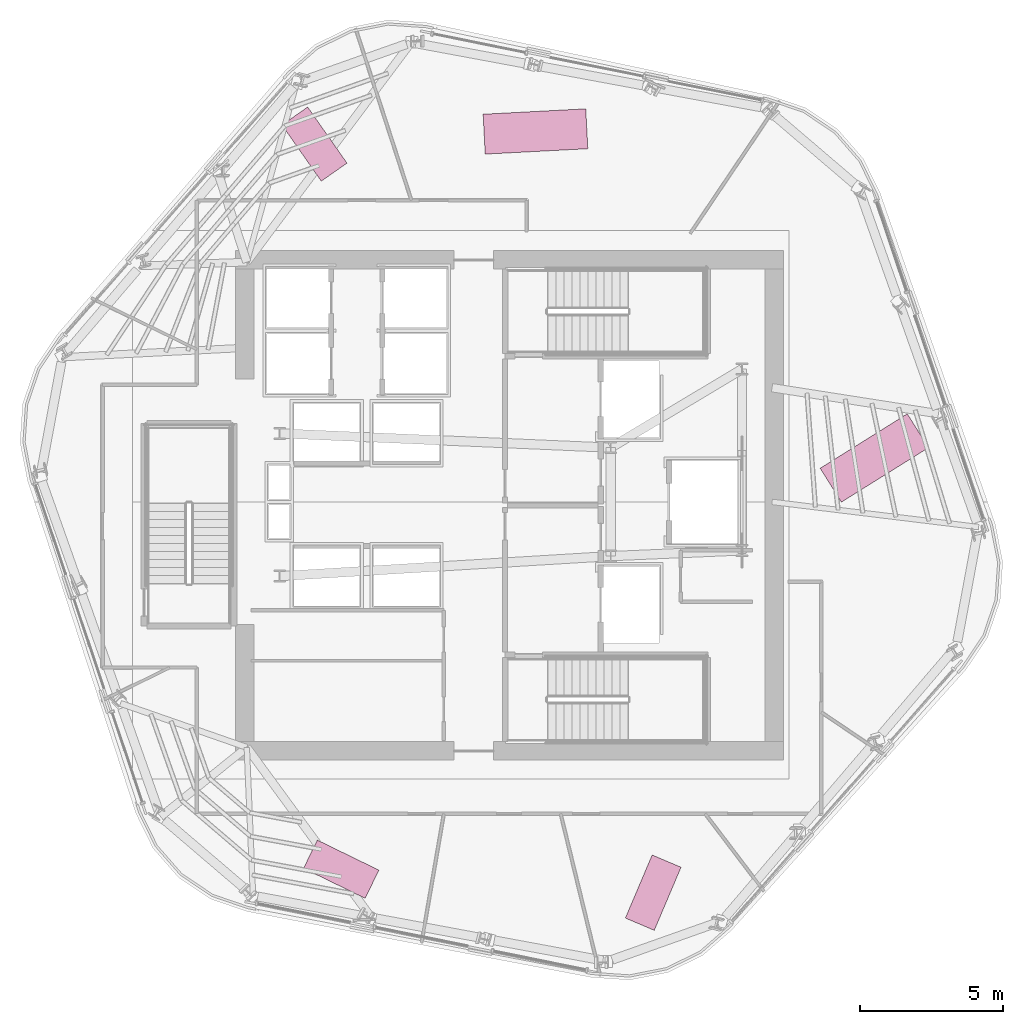
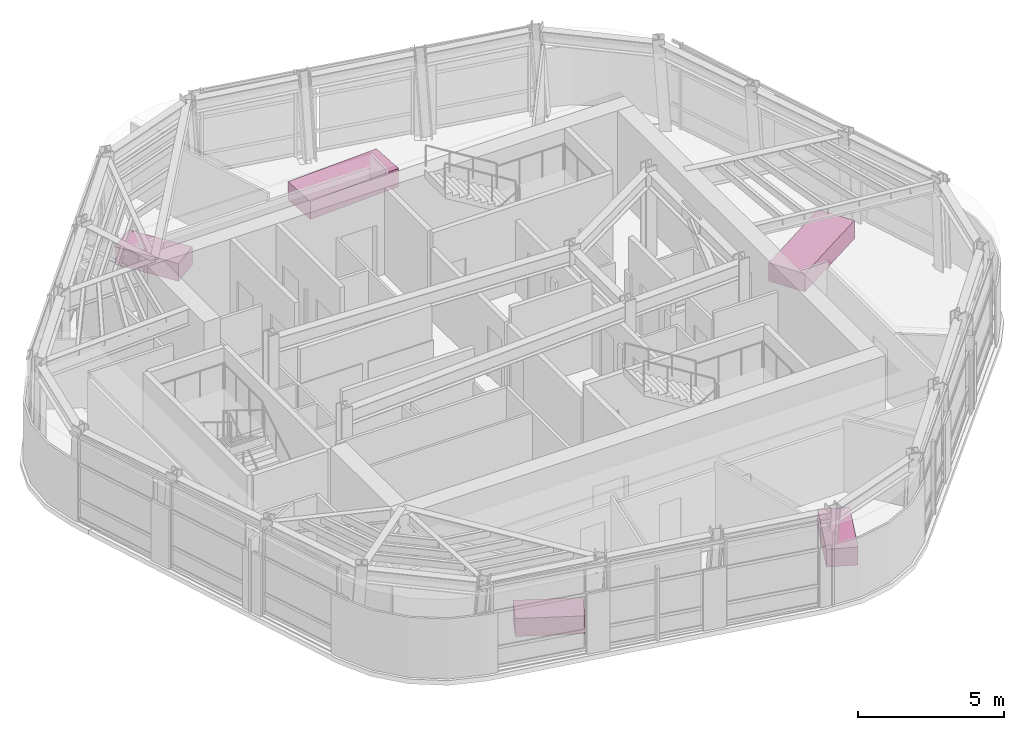
# One storey, part 12 of 12: 5 furniture elements.
"""IFC4 building model written with IfcOpenShell, lengths in metres."""

from ifc_helpers import new_model, si_unit, direction, frame, origin, origin_2d, place, context, subcontext, project, spatial, rectangle, extrude, material, type_object, element, save


model = new_model("IFC4")

# Units and contexts
model_context = context("Model", 3, precision=1e-05, world=origin(), true_north=direction((0.0, 1.0)))
body_context = subcontext(model_context, "Body", "Model", "MODEL_VIEW")
ifc_project = project(units=[si_unit("LENGTHUNIT", "METRE"), si_unit("AREAUNIT", "SQUARE_METRE"), si_unit("VOLUMEUNIT", "CUBIC_METRE"), si_unit("PLANEANGLEUNIT", "RADIAN"), si_unit("MASSUNIT", "GRAM", prefix="KILO")], contexts=[model_context])

# Site, building, storey
site_placement = place(None, origin())
site = spatial("IfcSite", under=ifc_project, at=site_placement, CompositionType="ELEMENT")
building_placement = place(site_placement, origin())
building = spatial("IfcBuilding", under=site, at=building_placement, Name="Valkerne Bourse Tower", CompositionType="ELEMENT")
storey_placement = place(building_placement, frame((0.0, 0.0, 232.199951171875)))
storey = spatial("IfcBuildingStorey", under=building, at=storey_placement, Name="L59", CompositionType="ELEMENT", Elevation=232.199951171875)

# Furniture
ifc_material = material(Name="Architectural White Oak Timber", Category="wood")
furniture_type_1 = type_object("IfcFurnitureType", Name="FURN-CONF-3600", AssemblyPlace="NOTDEFINED", PredefinedType="TABLE", material=ifc_material)
for number, where, z_axis, x_axis, name in (
    (1, (47.712890625, 39.97607421875, 0.044921875), (0.0, 0.0, 1.0), (0.998629534755, 0.052335956243, 0.0), "L59 Suite Worktable 10"),
    (2, (59.583984375, 28.5380859375, 0.044921875), (0.0, 0.0, 1.0), (0.848048096156, 0.529919264233, 0.0), "L59 Suite Worktable 11"),
):
    element("IfcFurniture", number, at=place(storey_placement, frame(where, z_axis=z_axis, x_axis=x_axis)), inside=storey, type_object=furniture_type_1, Name=name, PredefinedType="TABLE", context=body_context, shape_type="SweptSolid", body=[
        extrude(rectangle(XDim=3.60009765625, YDim=1.39990234375, at=origin_2d()), origin(), (0.0, 0.0, 1.0), 0.760009765625),
    ])
furniture_type_2 = type_object("IfcFurnitureType", Name="FURN-DESK-2400", AssemblyPlace="NOTDEFINED", PredefinedType="DESK", material=ifc_material)
for number, where, z_axis, x_axis, name in (
    (3, (51.8369140625, 13.31103515625, 0.045166015625), (0.0, 0.0, 1.0), (0.390731128489, 0.920504853452, 0.0), "L59 Suite Worktable 06"),
    (4, (39.970947265625, 39.533935546875, 0.045166015625), (0.0, 0.0, 1.0), (-0.573576436351, 0.819152044289, 0.0), "L59 Suite Worktable 08"),
    (5, (40.907958984375, 14.132080078125, 0.045166015625), (0.0, 0.0, 1.0), (-0.898794046299, 0.438371146789, 0.0), "L59 Suite Worktable 09"),
):
    element("IfcFurniture", number, at=place(storey_placement, frame(where, z_axis=z_axis, x_axis=x_axis)), inside=storey, type_object=furniture_type_2, Name=name, PredefinedType="DESK", context=body_context, shape_type="SweptSolid", body=[
        extrude(rectangle(XDim=2.39990234375, YDim=1.10009765625, at=origin_2d()), origin(), (0.0, 0.0, 1.0), 0.75),
    ])

save(model, "model.ifc")
